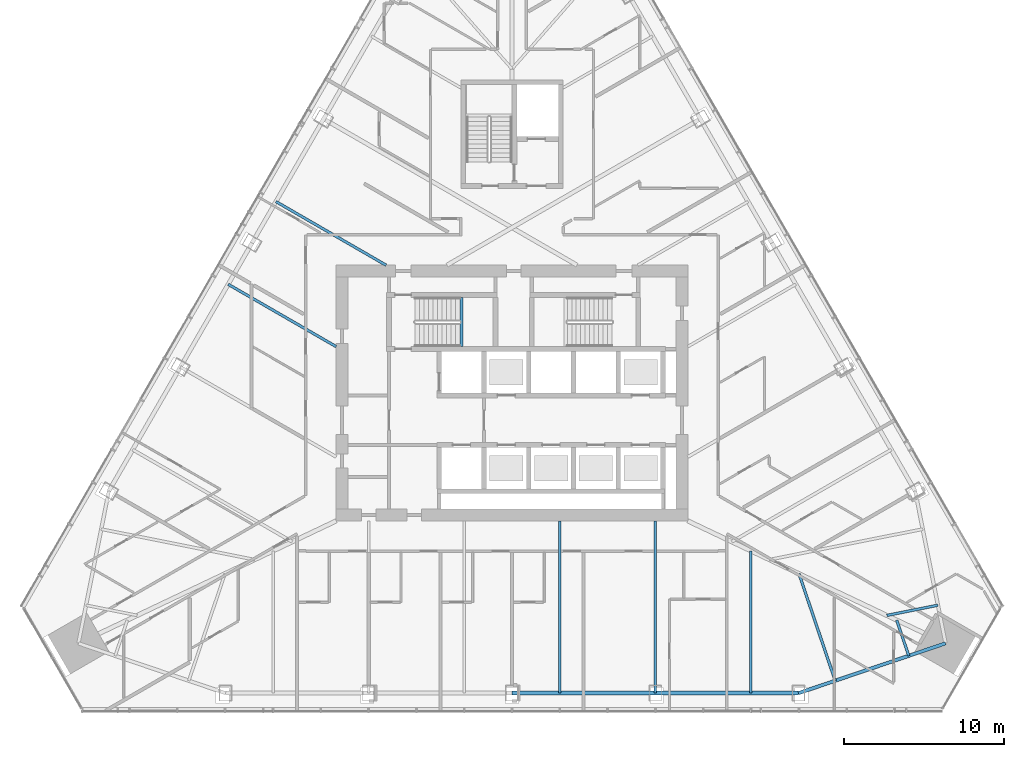
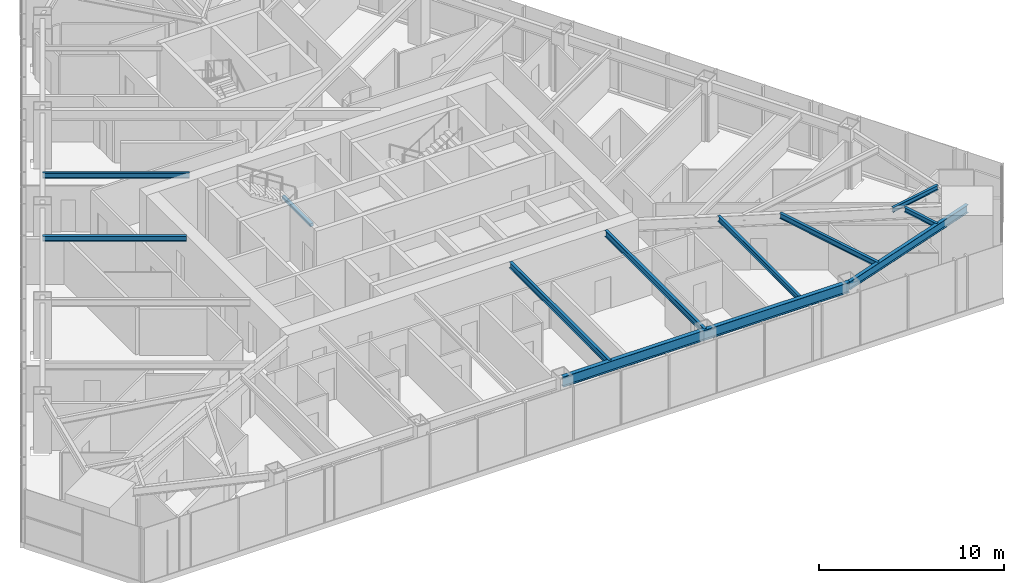
# One storey, part 7 of 21: 11 beams.
"""IFC4 building model written with IfcOpenShell, lengths in metres."""

from ifc_helpers import new_model, si_unit, direction, frame, origin, origin_2d, place, context, subcontext, project, spatial, rectangle, i_section, extrude, material, material_profile, profile_set, type_object, element, save


model = new_model("IFC4")

# Units and contexts
model_context = context("Model", 3, precision=1e-05, world=origin(), true_north=direction((0.0, 1.0)))
body_context = subcontext(model_context, "Body", "Model", "MODEL_VIEW")
ifc_project = project(units=[si_unit("LENGTHUNIT", "METRE"), si_unit("AREAUNIT", "SQUARE_METRE"), si_unit("VOLUMEUNIT", "CUBIC_METRE"), si_unit("PLANEANGLEUNIT", "RADIAN"), si_unit("MASSUNIT", "GRAM", prefix="KILO")], contexts=[model_context])

# Site, building, storey
site_placement = place(None, origin())
site = spatial("IfcSite", under=ifc_project, at=site_placement, CompositionType="ELEMENT")
building_placement = place(site_placement, origin())
building = spatial("IfcBuilding", under=site, at=building_placement, Name="Firuza Gate Tower and Library", CompositionType="ELEMENT")
storey_placement = place(building_placement, frame((0.0, 0.0, 167.5)))
storey = spatial("IfcBuildingStorey", under=building, at=storey_placement, Name="L38", CompositionType="ELEMENT", Elevation=167.5)

# Beams
ifc_material_1 = material(Name="Concrete C35/45", Category="concrete")
ifc_material_profile_1 = material_profile(ifc_material_1, rectangle(XDim=0.199951171875, YDim=0.199951171875, at=origin_2d()))
ifc_profile_set_1 = profile_set([ifc_material_profile_1], Name="Concrete C35/45")
beam_type_1 = type_object("IfcBeamType", Name="Stair landing bearer 200x200", PredefinedType="BEAM", material=ifc_profile_set_1)
beam_1_placement = place(storey_placement, frame((71.840087890625, 77.89990234375, 1.64990234375), z_axis=(0.0, 1.0, 0.0), x_axis=(-1.0, 0.0, 0.0)))
element("IfcBeam", 1, at=beam_1_placement, inside=storey, type_object=beam_type_1, Name="Landing bearer L38 stair 1", PredefinedType="BEAM", context=body_context, shape_type="SweptSolid", body=[
    extrude(rectangle(XDim=0.199951171875, YDim=0.199951171875, at=origin_2d()), origin(), (0.0, 0.0, 1.0), 3.080078125),
])
ifc_material_2 = material(Name="Steel S355", Category="steel")
ifc_material_profile_2 = material_profile(ifc_material_2, i_section(OverallWidth=0.1650390625, OverallDepth=0.31005859375, WebThickness=0.005859375, FlangeThickness=0.009765625, at=origin_2d()))
ifc_profile_set_2 = profile_set([ifc_material_profile_2], Name="Steel S355")
beam_type_2 = type_object("IfcBeamType", Name="W310x39 Floor beam", PredefinedType="JOIST", material=ifc_profile_set_2)
beam_2_placement = place(storey_placement, frame((99.826171875, 58.558837890625, 3.544921875), z_axis=(-0.320886488599, 0.947117659763, 0.0), x_axis=(-0.947117659763, -0.320886488599, 0.0)))
element("IfcBeam", 2, at=beam_2_placement, inside=storey, type_object=beam_type_2, Name="Floor beam L38 s31", PredefinedType="JOIST", context=body_context, shape_type="SweptSolid", body=[
    extrude(i_section(OverallWidth=0.1650390625, OverallDepth=0.31005859375, WebThickness=0.005859375, FlangeThickness=0.009765625, at=origin_2d()), origin(), (0.0, 0.0, 1.0), 2.356201171875),
])
beam_3_placement = place(storey_placement, frame((101.651611328125, 61.720458984375, 3.544921875), z_axis=(-0.980672759664, -0.195655151867, 0.0), x_axis=(0.195655151867, -0.980672759664, 0.0)))
element("IfcBeam", 3, at=beam_3_placement, inside=storey, type_object=beam_type_2, Name="Floor beam L38 s40", PredefinedType="JOIST", context=body_context, shape_type="SweptSolid", body=[
    extrude(i_section(OverallWidth=0.1650390625, OverallDepth=0.31005859375, WebThickness=0.005859375, FlangeThickness=0.009765625, at=origin_2d()), origin(), (0.0, 0.0, 1.0), 3.25927734375),
])
ifc_material_3 = material(Name="Steel S355", Category="steel")
ifc_material_profile_3 = material_profile(ifc_material_3, i_section(OverallWidth=0.1708984375, OverallDepth=0.35498046875, WebThickness=0.007080078125, FlangeThickness=0.01171875, at=origin_2d()))
ifc_profile_set_3 = profile_set([ifc_material_profile_3], Name="Steel S355")
beam_type_3 = type_object("IfcBeamType", Name="W360x51 Floor beam", PredefinedType="JOIST", material=ifc_profile_set_3)
beam_4_placement = place(storey_placement, frame((89.9365234375, 56.220458984375, 3.5224609375), z_axis=(0.0, 1.0, 0.0), x_axis=(-1.0, 0.0, 0.0)))
element("IfcBeam", 4, at=beam_4_placement, inside=storey, type_object=beam_type_3, Name="Floor beam L38 s25", PredefinedType="JOIST", context=body_context, shape_type="SweptSolid", body=[
    extrude(i_section(OverallWidth=0.1708984375, OverallDepth=0.35498046875, WebThickness=0.007080078125, FlangeThickness=0.01171875, at=origin_2d()), origin(), (0.0, 0.0, 1.0), 8.909423828125),
])
beam_5_placement = place(storey_placement, frame((95.224609375, 57.0, 3.5224609375), z_axis=(-0.320855506984, 0.947128155868, 0.0), x_axis=(-0.947128155868, -0.320855506984, 0.0)))
element("IfcBeam", 5, at=beam_5_placement, inside=storey, type_object=beam_type_3, Name="Floor beam L38 s30", PredefinedType="JOIST", context=body_context, shape_type="SweptSolid", body=[
    extrude(i_section(OverallWidth=0.1708984375, OverallDepth=0.35498046875, WebThickness=0.007080078125, FlangeThickness=0.01171875, at=origin_2d()), origin(), (0.0, 0.0, 1.0), 7.06884765625),
])
beam_6_placement = place(storey_placement, frame((60.230224609375, 86.976806640625, 3.5224609375), z_axis=(0.866022521394, -0.500004992414, 0.0), x_axis=(0.500004992414, 0.866022521394, 0.0)))
element("IfcBeam", 6, at=beam_6_placement, inside=storey, type_object=beam_type_3, Name="Floor beam L38 s82", PredefinedType="JOIST", context=body_context, shape_type="SweptSolid", body=[
    extrude(i_section(OverallWidth=0.1708984375, OverallDepth=0.35498046875, WebThickness=0.007080078125, FlangeThickness=0.01171875, at=origin_2d()), origin(), (0.0, 0.0, 1.0), 7.95361328125),
])
beam_7_placement = place(storey_placement, frame((57.242919921875, 81.802734375, 3.5224609375), z_axis=(0.866016236382, -0.500015878071, 0.0), x_axis=(0.500015878071, 0.866016236382, 0.0)))
element("IfcBeam", 7, at=beam_7_placement, inside=storey, type_object=beam_type_3, Name="Floor beam L38 s83", PredefinedType="JOIST", context=body_context, shape_type="SweptSolid", body=[
    extrude(i_section(OverallWidth=0.1708984375, OverallDepth=0.35498046875, WebThickness=0.007080078125, FlangeThickness=0.01171875, at=origin_2d()), origin(), (0.0, 0.0, 1.0), 7.802490234375),
])
ifc_material_4 = material(Name="Steel S355", Category="steel")
ifc_material_profile_4 = material_profile(ifc_material_4, i_section(OverallWidth=0.177978515625, OverallDepth=0.406982421875, WebThickness=0.0078125, FlangeThickness=0.0126953125, at=origin_2d()))
ifc_profile_set_4 = profile_set([ifc_material_profile_4], Name="Steel S355")
beam_type_4 = type_object("IfcBeamType", Name="W410x60 Floor beam", PredefinedType="JOIST", material=ifc_profile_set_4)
for number, where, z_axis, x_axis, name in (
    (8, (77.9873046875, 56.220458984375, 3.49658203125), (0.0, 1.0, 0.0), (-1.0, 0.0, 0.0), "Floor beam L38 s23"),
    (9, (83.9619140625, 56.220458984375, 3.49658203125), (0.0, 1.0, 0.0), (-1.0, 0.0, 0.0), "Floor beam L38 s24"),
):
    element("IfcBeam", number, at=place(storey_placement, frame(where, z_axis=z_axis, x_axis=x_axis)), inside=storey, type_object=beam_type_4, Name=name, PredefinedType="JOIST", context=body_context, shape_type="SweptSolid", body=[
        extrude(i_section(OverallWidth=0.177978515625, OverallDepth=0.406982421875, WebThickness=0.0078125, FlangeThickness=0.0126953125, at=origin_2d()), origin(), (0.0, 0.0, 1.0), 10.779541015625),
    ])
ifc_material_5 = material(Name="Steel S355", Category="steel")
ifc_material_profile_5 = material_profile(ifc_material_5, i_section(OverallWidth=0.212890625, OverallDepth=0.5390625, WebThickness=0.01171875, FlangeThickness=0.018798828125, at=origin_2d()))
ifc_profile_set_5 = profile_set([ifc_material_profile_5], Name="Steel S355")
beam_type_5 = type_object("IfcBeamType", Name="W530x109 Edge beam", PredefinedType="SPANDREL", material=ifc_profile_set_5)
beam_8_placement = place(storey_placement, frame((92.923828125, 56.220458984375, 3.430419921875), z_axis=(0.947129305781, 0.320852112554, 0.0), x_axis=(-0.320852112554, 0.947129305781, 0.0)))
element("IfcBeam", 10, at=beam_8_placement, inside=storey, type_object=beam_type_5, Name="Edge beam L38 e30", PredefinedType="SPANDREL", context=body_context, shape_type="SweptSolid", body=[
    extrude(i_section(OverallWidth=0.212890625, OverallDepth=0.5390625, WebThickness=0.01171875, FlangeThickness=0.018798828125, at=origin_2d()), origin(), (0.0, 0.0, 1.0), 9.716796875),
])
ifc_material_6 = material(Name="Steel S355", Category="steel")
ifc_material_profile_6 = material_profile(ifc_material_6, i_section(OverallWidth=0.2529296875, OverallDepth=0.677978515625, WebThickness=0.01171875, FlangeThickness=0.016357421875, at=origin_2d()))
ifc_profile_set_6 = profile_set([ifc_material_profile_6], Name="Steel S355")
beam_type_6 = type_object("IfcBeamType", Name="W690x125 Edge beam", PredefinedType="SPANDREL", material=ifc_profile_set_6)
beam_9_placement = place(storey_placement, frame((75.0, 56.220458984375, 3.361083984375), z_axis=(1.0, 0.0, 0.0), x_axis=(0.0, 1.0, 0.0)))
element("IfcBeam", 11, at=beam_9_placement, inside=storey, type_object=beam_type_6, Name="Edge beam L38 e22", PredefinedType="SPANDREL", context=body_context, shape_type="SweptSolid", body=[
    extrude(i_section(OverallWidth=0.2529296875, OverallDepth=0.677978515625, WebThickness=0.01171875, FlangeThickness=0.016357421875, at=origin_2d()), origin(), (0.0, 0.0, 1.0), 17.923828125),
])

save(model, "model.ifc")
